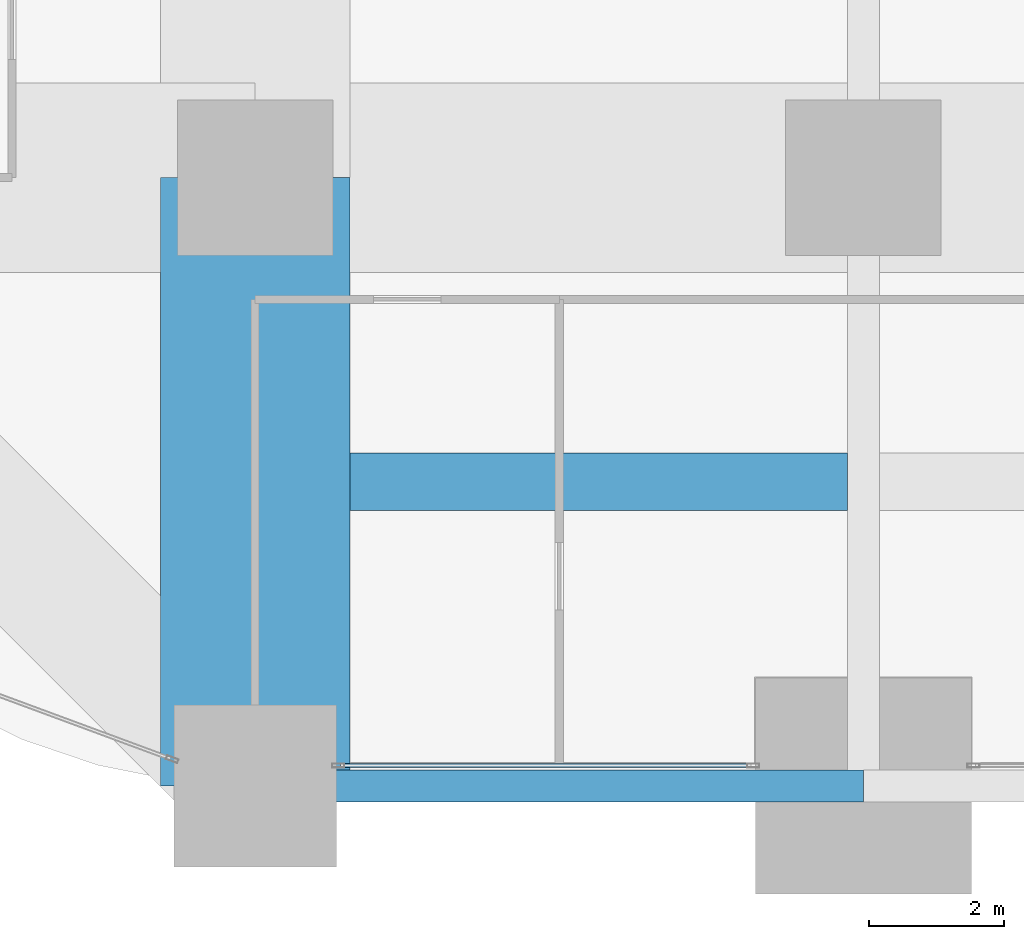
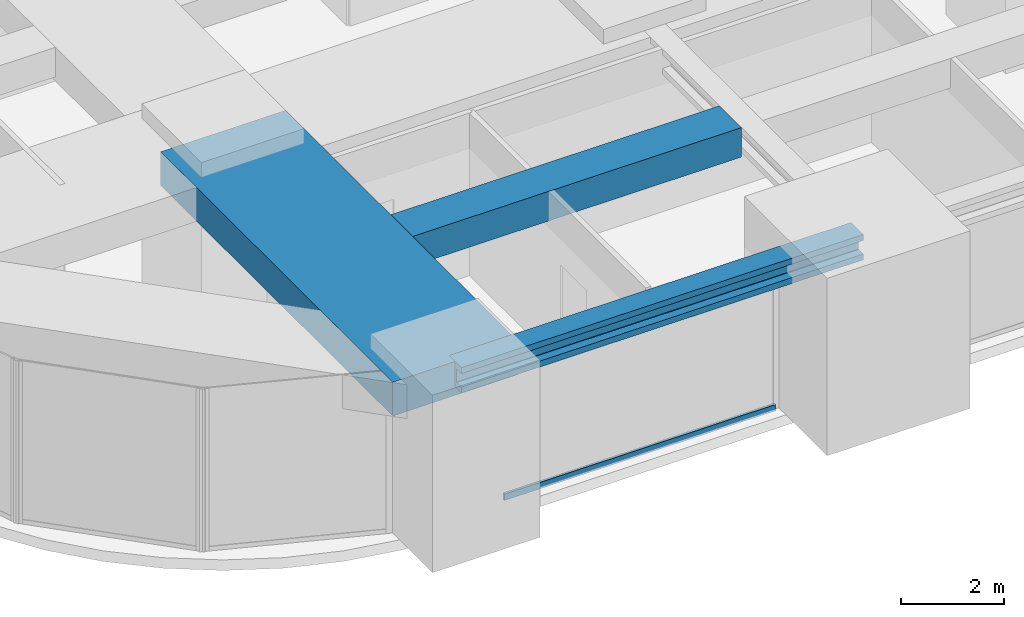
# One storey, part 3 of 42: 3 beams, 1 member, 1 element without a shape of its own.
"""IFC4 building model written with IfcOpenShell, lengths in metres."""

from ifc_helpers import new_model, si_unit, direction, frame, origin, origin_2d, place, context, subcontext, project, spatial, rectangle, hollow_rectangle, i_section, extrude, material, material_profile, profile_set, type_object, element, aggregate, save


model = new_model("IFC4")

# Units and contexts
model_context = context("Model", 3, precision=1e-05, world=origin(), true_north=direction((0.0, 1.0)))
body_context = subcontext(model_context, "Body", "Model", "MODEL_VIEW")
ifc_project = project(units=[si_unit("LENGTHUNIT", "METRE"), si_unit("AREAUNIT", "SQUARE_METRE"), si_unit("VOLUMEUNIT", "CUBIC_METRE"), si_unit("PLANEANGLEUNIT", "RADIAN"), si_unit("MASSUNIT", "GRAM", prefix="KILO")], contexts=[model_context])

# Site, building, storey
site_placement = place(None, origin())
site = spatial("IfcSite", under=ifc_project, at=site_placement, CompositionType="ELEMENT")
building_placement = place(site_placement, origin())
building = spatial("IfcBuilding", under=site, at=building_placement, Name="Zorevar Civic Tower", CompositionType="ELEMENT")
storey_placement = place(building_placement, frame((0.0, 0.0, 75.800048828125)))
storey = spatial("IfcBuildingStorey", under=building, at=storey_placement, Name="L18", CompositionType="ELEMENT", Elevation=75.800048828125)

# Beams
ifc_material_1 = material(Name="Concrete C50/60", Category="concrete")
ifc_material_profile_1 = material_profile(ifc_material_1, rectangle(XDim=2.800048828125, YDim=0.800048828125, at=origin_2d()), Name="RC 2800x800")
ifc_profile_set_1 = profile_set([ifc_material_profile_1], Name="Concrete C50/60")
beam_type_1 = type_object("IfcBeamType", Name="Beam RC 2800x800", PredefinedType="BEAM", material=ifc_profile_set_1)
beam_1_placement = place(storey_placement, frame((9.0, 0.0, 3.449951171875), z_axis=(0.0, 1.0, 0.0), x_axis=(-1.0, 0.0, 0.0)))
element("IfcBeam", 1, at=beam_1_placement, inside=storey, type_object=beam_type_1, Name="Girder L19", PredefinedType="BEAM", context=body_context, shape_type="SweptSolid", body=[
    extrude(rectangle(XDim=2.800048828125, YDim=0.800048828125, at=origin_2d()), origin(), (0.0, 0.0, 1.0), 9.0),
])
ifc_material_2 = material(Name="Concrete C50/60", Category="concrete")
ifc_material_profile_2 = material_profile(ifc_material_2, rectangle(XDim=0.85009765625, YDim=0.699951171875, at=origin_2d()), Name="RC 850x700")
ifc_profile_set_2 = profile_set([ifc_material_profile_2], Name="Concrete C50/60")
beam_type_2 = type_object("IfcBeamType", Name="Beam RC 850x700", PredefinedType="BEAM", material=ifc_profile_set_2)
beam_2_placement = place(storey_placement, frame((10.39990234375, 4.5, 3.5), z_axis=(1.0, 0.0, 0.0), x_axis=(0.0, 1.0, 0.0)))
element("IfcBeam", 2, at=beam_2_placement, inside=storey, type_object=beam_type_2, Name="Secondary beam L19", PredefinedType="BEAM", context=body_context, shape_type="SweptSolid", body=[
    extrude(rectangle(XDim=0.85009765625, YDim=0.699951171875, at=origin_2d()), origin(), (0.0, 0.0, 1.0), 7.362060546875),
])
ifc_material_3 = material(Name="Steel S460M (HISTAR 460)", Category="steel")
ifc_material_profile_3 = material_profile(ifc_material_3, i_section(OverallWidth=0.47607421875, OverallDepth=0.60009765625, WebThickness=0.10009765625, FlangeThickness=0.139892578125, FilletRadius=0.014892578125, at=origin_2d()), Name="HD 400x1299")
ifc_profile_set_3 = profile_set([ifc_material_profile_3], Name="Steel S460M (HISTAR 460)")
beam_type_3 = type_object("IfcBeamType", Name="Belt chord HD 400x1299", PredefinedType="BEAM", material=ifc_profile_set_3)
beam_3_placement = place(storey_placement, frame((9.0, 0.0, 3.550048828125), z_axis=(1.0, 0.0, 0.0), x_axis=(0.0, 1.0, 0.0)))
element("IfcBeam", 3, at=beam_3_placement, inside=storey, type_object=beam_type_3, Name="Belt chord L19", PredefinedType="BEAM", context=body_context, shape_type="SweptSolid", body=[
    extrude(i_section(OverallWidth=0.47607421875, OverallDepth=0.60009765625, WebThickness=0.10009765625, FlangeThickness=0.139892578125, FilletRadius=0.014892578125, at=origin_2d()), origin(), (0.0, 0.0, 1.0), 9.0),
])

# Curtain wall, member
ifc_material_4 = material(Name="Dark grey solar-control glass in black aluminium frame", Category="aluminium")
curtain_wall_type = type_object("IfcCurtainWallType", Name="Curtain wall CW2 low zone", PredefinedType="NOTDEFINED", material=ifc_material_4)
curtain_wall_placement = place(storey_placement, origin())
curtain_wall = element("IfcCurtainWall", 4, at=curtain_wall_placement, inside=storey, type_object=curtain_wall_type, Name="CW2 L18", PredefinedType="NOTDEFINED")
ifc_material_5 = material(Name="Aluminium, black anodised", Category="aluminium")
ifc_material_profile_4 = material_profile(ifc_material_5, hollow_rectangle(XDim=0.06005859375, YDim=0.14990234375, WallThickness=0.00390625, at=origin_2d()), Name="AL 150x60x4")
ifc_profile_set_4 = profile_set([ifc_material_profile_4], Name="Aluminium, black anodised")
member_type = type_object("IfcMemberType", Name="CW2 transom AL 150x60x4", PredefinedType="USERDEFINED", material=ifc_profile_set_4)
member_placement = place(storey_placement, frame((10.260009765625, 0.300048828125, 0.030029296875), z_axis=(1.0, 0.0, 0.0), x_axis=(0.0, 1.0, 0.0)))
member = element("IfcMember", 5, at=member_placement, type_object=member_type, Name="CW2 sill transom", ObjectType="TRANSOM", PredefinedType="USERDEFINED", context=body_context, shape_type="SweptSolid", body=[
    extrude(hollow_rectangle(XDim=0.06005859375, YDim=0.14990234375, WallThickness=0.00390625, at=origin_2d()), origin(), (0.0, 0.0, 1.0), 6.080078125),
])
aggregate(curtain_wall, [member])

save(model, "model.ifc")
